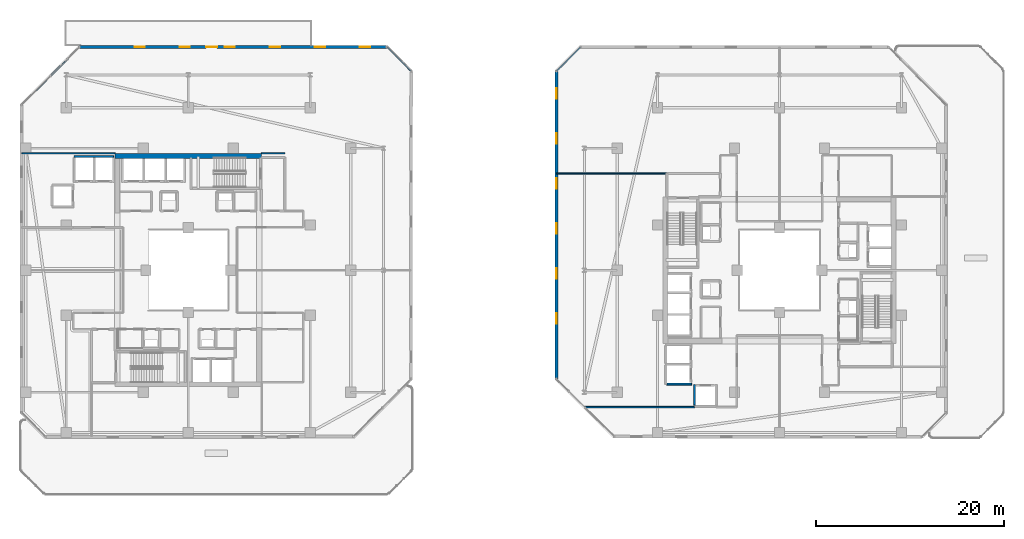
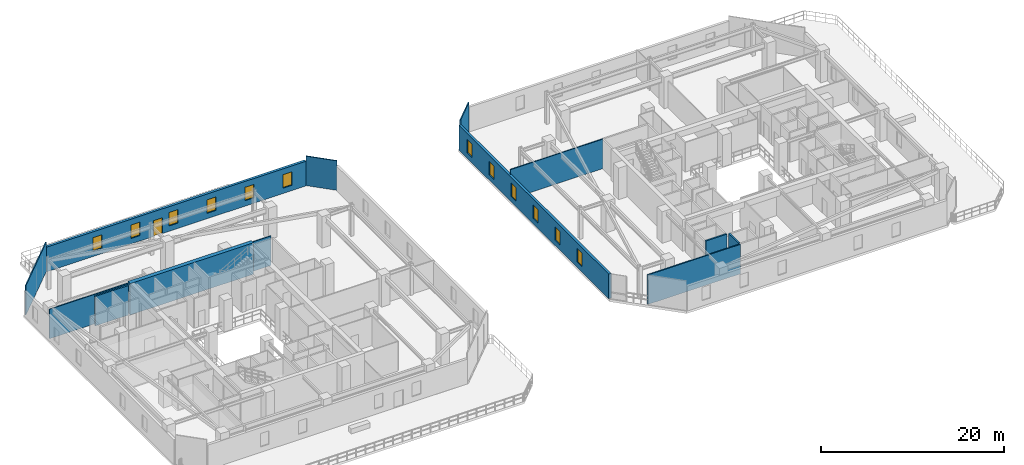
# One storey, part 23 of 33: 13 walls, 12 windows, 1 door, 13 openings.
"""IFC4 building model written with IfcOpenShell, lengths in metres."""

from ifc_helpers import new_model, si_unit, direction, frame, frame_2d, origin, place, context, subcontext, project, spatial, rectangle, extrude, material, layer, layer_set, type_object, element, fill, save


model = new_model("IFC4")

# Units and contexts
model_context = context("Model", 3, precision=1e-05, world=origin(), true_north=direction((0.0, 1.0)))
body_context = subcontext(model_context, "Body", "Model", "MODEL_VIEW")
ifc_project = project(units=[si_unit("LENGTHUNIT", "METRE"), si_unit("AREAUNIT", "SQUARE_METRE"), si_unit("VOLUMEUNIT", "CUBIC_METRE"), si_unit("PLANEANGLEUNIT", "RADIAN"), si_unit("MASSUNIT", "GRAM", prefix="KILO")], contexts=[model_context])

# Site, building, storey
site_placement = place(None, origin())
site = spatial("IfcSite", under=ifc_project, at=site_placement, CompositionType="ELEMENT")
building_placement = place(site_placement, origin())
building = spatial("IfcBuilding", under=site, at=building_placement, Name="Thornwick Lancets Civic Towers", CompositionType="ELEMENT")
storey_placement = place(building_placement, frame((0.0, 0.0, 174.300048828125)))
storey = spatial("IfcBuildingStorey", under=building, at=storey_placement, Name="L46", CompositionType="ELEMENT", Elevation=174.300048828125)

# Walls
ifc_material_1 = material(Name="Concrete blockwork C40/50", Category="masonry")
ifc_layer_1 = layer(ifc_material_1, 0.199951171875, Name="Concrete blockwork C40/50")
ifc_layer_set_1 = layer_set([ifc_layer_1], Name="Concrete blockwork C40/50")
wall_type_1 = type_object("IfcWallType", Name="WALL_COMP_200", PredefinedType="STANDARD", material=ifc_layer_set_1)
wall_1_placement = place(storey_placement, frame((13.35205078125, 39.10009765625, 0.0), z_axis=(0.0, 0.0, 1.0), x_axis=(1.0, 0.0, 0.0)))
element("IfcWall", 1, at=wall_1_placement, inside=storey, type_object=wall_type_1, Name="L46 Hoistway Shaft Wall PL-AM1 N", PredefinedType="STANDARD", context=body_context, shape_type="SweptSolid", body=[
    extrude(rectangle(XDim=4.196044921875, YDim=0.199951171875, at=frame_2d((2.09814453125, 0.0))), origin(), (0.0, 0.0, 1.0), 3.93994140625),
])
wall_2_placement = place(storey_placement, frame((76.511962890625, 14.85009765625, 0.0), z_axis=(0.0, 0.0, 1.0), x_axis=(1.0, 0.0, 0.0)))
element("IfcWall", 2, at=wall_2_placement, inside=storey, type_object=wall_type_1, Name="L46 Hoistway Shaft Wall PL-BM2 S", PredefinedType="STANDARD", context=body_context, shape_type="SweptSolid", body=[
    extrude(rectangle(XDim=2.635986328125, YDim=0.199951171875, at=frame_2d((1.31787109375, 0.0))), origin(), (0.0, 0.0, 1.0), 3.93994140625),
])
wall_3_placement = place(storey_placement, frame((79.449951171875, 12.612060546875, 0.0), z_axis=(0.0, 0.0, 1.0), x_axis=(0.0, 1.0, 0.0)))
element("IfcWall", 3, at=wall_3_placement, inside=storey, type_object=wall_type_1, Name="L46 Hoistway Shaft Wall PL-BM3 W", PredefinedType="STANDARD", context=body_context, shape_type="SweptSolid", body=[
    extrude(rectangle(XDim=2.18603515625, YDim=0.199951171875, at=frame_2d((1.093017578125, 0.0))), origin(), (0.0, 0.0, 1.0), 3.93994140625),
])
ifc_material_2 = material(Name="Concrete C50/60", Category="concrete")
ifc_layer_2 = layer(ifc_material_2, 0.5, Name="Concrete C50/60")
ifc_layer_set_2 = layer_set([ifc_layer_2], Name="Concrete C50/60")
wall_type_2 = type_object("IfcWallType", Name="WALL_CORE_500", PredefinedType="SHEAR", material=ifc_layer_set_2)
wall_4_placement = place(storey_placement, frame((17.699951171875, 39.14990234375, 0.0), z_axis=(0.0, 0.0, 1.0), x_axis=(1.0, 0.0, 0.0)))
element("IfcWall", 4, at=wall_4_placement, inside=storey, type_object=wall_type_2, Name="L46 Split Core A2 Shear Wall N", PredefinedType="SHEAR", context=body_context, shape_type="SweptSolid", body=[
    extrude(rectangle(XDim=15.60009765625, YDim=0.5, at=frame_2d((7.800048828125, 0.0))), origin(), (0.0, 0.0, 1.0), 4.199951171875),
])

# Wall, openings, door, windows
ifc_material_3 = material(Name="Insulated buff terracotta rainscreen on concrete C40/50", Category="masonry")
ifc_layer_3 = layer(ifc_material_3, 0.320068359375, Name="Insulated buff terracotta rainscreen on concrete C40/50")
ifc_layer_set_3 = layer_set([ifc_layer_3], Name="Insulated buff terracotta rainscreen on concrete C40/50")
wall_type_3 = type_object("IfcWallType", Name="WALL_EXT_TERRA_320", PredefinedType="STANDARD", material=ifc_layer_set_3)
wall_5_placement = place(storey_placement, frame((46.681396484375, 50.7646484375, 0.0), z_axis=(0.0, 0.0, 1.0), x_axis=(-0.999999933399, -0.000364968916, 0.0)))
wall_5 = element("IfcWall", 5, at=wall_5_placement, inside=storey, type_object=wall_type_3, Name="L46 Tower A Terracotta Facade Wall E4", PredefinedType="STANDARD", context=body_context, shape_type="SweptSolid", body=[
    extrude(rectangle(XDim=32.77783203125, YDim=0.320068359375, at=frame_2d((16.388916015625, 0.0))), origin(), (0.0, 0.0, 1.0), 3.300048828125),
])
opening_1_placement = place(wall_5_placement, frame((18.114013671875, 0.0, 0.0)))
opening_1 = element("IfcOpeningElement", 6, at=opening_1_placement, cuts=wall_5, Name="Opening D-POOL-L46", PredefinedType="OPENING", context=body_context, shape_type="SweptSolid", body=[
    extrude(rectangle(XDim=1.14990234375, YDim=2.10009765625, at=frame_2d((0.574951171875, 1.050048828125))), frame((0.0, 0.169921875, 0.0), z_axis=(0.0, -1.0, 0.0), x_axis=(1.0, 0.0, 0.0)), (0.0, 0.0, 1.0), 0.340087890625),
])
opening_2_placement = place(wall_5_placement, frame((1.800048828125, 0.0, 0.719970703125)))
opening_2 = element("IfcOpeningElement", 7, at=opening_2_placement, cuts=wall_5, Name="Opening WL-02", PredefinedType="OPENING", context=body_context, shape_type="SweptSolid", body=[
    extrude(rectangle(XDim=1.10009765625, YDim=1.800048828125, at=frame_2d((0.550048828125, 0.89990234375))), frame((0.0, 0.169921875, 0.0), z_axis=(0.0, -1.0, 0.0), x_axis=(1.0, 0.0, 0.0)), (0.0, 0.0, 1.0), 0.340087890625),
])
opening_3_placement = place(wall_5_placement, frame((6.60009765625, 0.0, 0.719970703125)))
opening_3 = element("IfcOpeningElement", 8, at=opening_3_placement, cuts=wall_5, Name="Opening WL-02", PredefinedType="OPENING", context=body_context, shape_type="SweptSolid", body=[
    extrude(rectangle(XDim=1.10009765625, YDim=1.800048828125, at=frame_2d((0.550048828125, 0.89990234375))), frame((0.0, 0.169921875, 0.0), z_axis=(0.0, -1.0, 0.0), x_axis=(1.0, 0.0, 0.0)), (0.0, 0.0, 1.0), 0.340087890625),
])
opening_4_placement = place(wall_5_placement, frame((11.39990234375, 0.0, 0.719970703125)))
opening_4 = element("IfcOpeningElement", 9, at=opening_4_placement, cuts=wall_5, Name="Opening WL-02", PredefinedType="OPENING", context=body_context, shape_type="SweptSolid", body=[
    extrude(rectangle(XDim=1.10009765625, YDim=1.800048828125, at=frame_2d((0.550048828125, 0.89990234375))), frame((0.0, 0.169921875, 0.0), z_axis=(0.0, -1.0, 0.0), x_axis=(1.0, 0.0, 0.0)), (0.0, 0.0, 1.0), 0.340087890625),
])
opening_5_placement = place(wall_5_placement, frame((16.199951171875, 0.0, 0.719970703125)))
opening_5 = element("IfcOpeningElement", 10, at=opening_5_placement, cuts=wall_5, Name="Opening WL-02", PredefinedType="OPENING", context=body_context, shape_type="SweptSolid", body=[
    extrude(rectangle(XDim=1.10009765625, YDim=1.800048828125, at=frame_2d((0.550048828125, 0.89990234375))), frame((0.0, 0.169921875, 0.0), z_axis=(0.0, -1.0, 0.0), x_axis=(1.0, 0.0, 0.0)), (0.0, 0.0, 1.0), 0.340087890625),
])
opening_6_placement = place(wall_5_placement, frame((21.0, 0.0, 0.719970703125)))
opening_6 = element("IfcOpeningElement", 11, at=opening_6_placement, cuts=wall_5, Name="Opening WL-02", PredefinedType="OPENING", context=body_context, shape_type="SweptSolid", body=[
    extrude(rectangle(XDim=1.10009765625, YDim=1.800048828125, at=frame_2d((0.550048828125, 0.89990234375))), frame((0.0, 0.169921875, 0.0), z_axis=(0.0, -1.0, 0.0), x_axis=(1.0, 0.0, 0.0)), (0.0, 0.0, 1.0), 0.340087890625),
])
opening_7_placement = place(wall_5_placement, frame((25.800048828125, 0.0, 0.719970703125)))
opening_7 = element("IfcOpeningElement", 12, at=opening_7_placement, cuts=wall_5, Name="Opening WL-02", PredefinedType="OPENING", context=body_context, shape_type="SweptSolid", body=[
    extrude(rectangle(XDim=1.10009765625, YDim=1.800048828125, at=frame_2d((0.550048828125, 0.89990234375))), frame((0.0, 0.169921875, 0.0), z_axis=(0.0, -1.0, 0.0), x_axis=(1.0, 0.0, 0.0)), (0.0, 0.0, 1.0), 0.340087890625),
])
ifc_material_4 = material(Name="Thermally broken glazed terrace doorset")
door_type = type_object("IfcDoorType", Name="DOOR_TERRACE_1200", OperationType="NOTDEFINED", PredefinedType="DOOR", material=ifc_material_4)
door_placement = place(opening_1_placement, origin())
door = element("IfcDoor", 13, at=door_placement, inside=storey, type_object=door_type, Name="L46 Sky Pool Access Door", OperationType="SINGLE_SWING_LEFT", OverallHeight=2.10009765625, OverallWidth=1.14990234375, PredefinedType="DOOR", context=body_context, shape_type="SweptSolid", body=[
    extrude(rectangle(XDim=1.14990234375, YDim=2.10009765625, at=frame_2d((0.574951171875, 1.050048828125))), frame((0.0, 0.02490234375, 0.0), z_axis=(0.0, -1.0, 0.0), x_axis=(1.0, 0.0, 0.0)), (0.0, 0.0, 1.0), 0.050048828125),
])
fill(opening_1, door)
ifc_material_5 = material(Name="Clear low-e double glazing in bronze frame", Category="glass")
window_type = type_object("IfcWindowType", Name="WIN_LANCET_1100", PartitioningType="SINGLE_PANEL", PredefinedType="WINDOW", material=ifc_material_5)
window_1_placement = place(opening_2_placement, origin())
window_1 = element("IfcWindow", 14, at=window_1_placement, inside=storey, type_object=window_type, Name="L46 Tower A Staggered Lancet Window E4-1", OverallHeight=1.800048828125, OverallWidth=1.10009765625, PartitioningType="SINGLE_PANEL", PredefinedType="WINDOW", context=body_context, shape_type="SweptSolid", body=[
    extrude(rectangle(XDim=1.10009765625, YDim=1.800048828125, at=frame_2d((0.550048828125, 0.89990234375))), frame((0.0, 0.030029296875, 0.0), z_axis=(0.0, -1.0, 0.0), x_axis=(1.0, 0.0, 0.0)), (0.0, 0.0, 1.0), 0.06005859375),
])
fill(opening_2, window_1)
window_2_placement = place(opening_3_placement, origin())
window_2 = element("IfcWindow", 15, at=window_2_placement, inside=storey, type_object=window_type, Name="L46 Tower A Staggered Lancet Window E4-2", OverallHeight=1.800048828125, OverallWidth=1.10009765625, PartitioningType="SINGLE_PANEL", PredefinedType="WINDOW", context=body_context, shape_type="SweptSolid", body=[
    extrude(rectangle(XDim=1.10009765625, YDim=1.800048828125, at=frame_2d((0.550048828125, 0.89990234375))), frame((0.0, 0.030029296875, 0.0), z_axis=(0.0, -1.0, 0.0), x_axis=(1.0, 0.0, 0.0)), (0.0, 0.0, 1.0), 0.06005859375),
])
fill(opening_3, window_2)
window_3_placement = place(opening_4_placement, origin())
window_3 = element("IfcWindow", 16, at=window_3_placement, inside=storey, type_object=window_type, Name="L46 Tower A Staggered Lancet Window E4-3", OverallHeight=1.800048828125, OverallWidth=1.10009765625, PartitioningType="SINGLE_PANEL", PredefinedType="WINDOW", context=body_context, shape_type="SweptSolid", body=[
    extrude(rectangle(XDim=1.10009765625, YDim=1.800048828125, at=frame_2d((0.550048828125, 0.89990234375))), frame((0.0, 0.030029296875, 0.0), z_axis=(0.0, -1.0, 0.0), x_axis=(1.0, 0.0, 0.0)), (0.0, 0.0, 1.0), 0.06005859375),
])
fill(opening_4, window_3)
window_4_placement = place(opening_5_placement, origin())
window_4 = element("IfcWindow", 17, at=window_4_placement, inside=storey, type_object=window_type, Name="L46 Tower A Staggered Lancet Window E4-4", OverallHeight=1.800048828125, OverallWidth=1.10009765625, PartitioningType="SINGLE_PANEL", PredefinedType="WINDOW", context=body_context, shape_type="SweptSolid", body=[
    extrude(rectangle(XDim=1.10009765625, YDim=1.800048828125, at=frame_2d((0.550048828125, 0.89990234375))), frame((0.0, 0.030029296875, 0.0), z_axis=(0.0, -1.0, 0.0), x_axis=(1.0, 0.0, 0.0)), (0.0, 0.0, 1.0), 0.06005859375),
])
fill(opening_5, window_4)
window_5_placement = place(opening_6_placement, origin())
window_5 = element("IfcWindow", 18, at=window_5_placement, inside=storey, type_object=window_type, Name="L46 Tower A Staggered Lancet Window E4-5", OverallHeight=1.800048828125, OverallWidth=1.10009765625, PartitioningType="SINGLE_PANEL", PredefinedType="WINDOW", context=body_context, shape_type="SweptSolid", body=[
    extrude(rectangle(XDim=1.10009765625, YDim=1.800048828125, at=frame_2d((0.550048828125, 0.89990234375))), frame((0.0, 0.030029296875, 0.0), z_axis=(0.0, -1.0, 0.0), x_axis=(1.0, 0.0, 0.0)), (0.0, 0.0, 1.0), 0.06005859375),
])
fill(opening_6, window_5)
window_6_placement = place(opening_7_placement, origin())
window_6 = element("IfcWindow", 19, at=window_6_placement, inside=storey, type_object=window_type, Name="L46 Tower A Staggered Lancet Window E4-6", OverallHeight=1.800048828125, OverallWidth=1.10009765625, PartitioningType="SINGLE_PANEL", PredefinedType="WINDOW", context=body_context, shape_type="SweptSolid", body=[
    extrude(rectangle(XDim=1.10009765625, YDim=1.800048828125, at=frame_2d((0.550048828125, 0.89990234375))), frame((0.0, 0.030029296875, 0.0), z_axis=(0.0, -1.0, 0.0), x_axis=(1.0, 0.0, 0.0)), (0.0, 0.0, 1.0), 0.06005859375),
])
fill(opening_7, window_6)

# Wall, openings, windows
wall_6_placement = place(storey_placement, frame((64.7353515625, 48.181396484375, 0.0), z_axis=(0.0, 0.0, 1.0), x_axis=(0.000364968916, -0.999999933399, 0.0)))
wall_6 = element("IfcWall", 20, at=wall_6_placement, inside=storey, type_object=wall_type_3, Name="L46 Tower B Terracotta Facade Wall E6", PredefinedType="STANDARD", context=body_context, shape_type="SweptSolid", body=[
    extrude(rectangle(XDim=32.77783203125, YDim=0.320068359375, at=frame_2d((16.388916015625, 0.0))), origin(), (0.0, 0.0, 1.0), 3.300048828125),
])
opening_8_placement = place(wall_6_placement, frame((1.800048828125, 0.0, 0.719970703125)))
opening_8 = element("IfcOpeningElement", 21, at=opening_8_placement, cuts=wall_6, Name="Opening WL-02", PredefinedType="OPENING", context=body_context, shape_type="SweptSolid", body=[
    extrude(rectangle(XDim=1.10009765625, YDim=1.800048828125, at=frame_2d((0.550048828125, 0.89990234375))), frame((0.0, 0.169921875, 0.0), z_axis=(0.0, -1.0, 0.0), x_axis=(1.0, 0.0, 0.0)), (0.0, 0.0, 1.0), 0.340087890625),
])
opening_9_placement = place(wall_6_placement, frame((6.60009765625, 0.0, 0.719970703125)))
opening_9 = element("IfcOpeningElement", 22, at=opening_9_placement, cuts=wall_6, Name="Opening WL-02", PredefinedType="OPENING", context=body_context, shape_type="SweptSolid", body=[
    extrude(rectangle(XDim=1.10009765625, YDim=1.800048828125, at=frame_2d((0.550048828125, 0.89990234375))), frame((0.0, 0.169921875, 0.0), z_axis=(0.0, -1.0, 0.0), x_axis=(1.0, 0.0, 0.0)), (0.0, 0.0, 1.0), 0.340087890625),
])
opening_10_placement = place(wall_6_placement, frame((11.39990234375, 0.0, 0.719970703125)))
opening_10 = element("IfcOpeningElement", 23, at=opening_10_placement, cuts=wall_6, Name="Opening WL-02", PredefinedType="OPENING", context=body_context, shape_type="SweptSolid", body=[
    extrude(rectangle(XDim=1.10009765625, YDim=1.800048828125, at=frame_2d((0.550048828125, 0.89990234375))), frame((0.0, 0.169921875, 0.0), z_axis=(0.0, -1.0, 0.0), x_axis=(1.0, 0.0, 0.0)), (0.0, 0.0, 1.0), 0.340087890625),
])
opening_11_placement = place(wall_6_placement, frame((16.199951171875, 0.0, 0.719970703125)))
opening_11 = element("IfcOpeningElement", 24, at=opening_11_placement, cuts=wall_6, Name="Opening WL-02", PredefinedType="OPENING", context=body_context, shape_type="SweptSolid", body=[
    extrude(rectangle(XDim=1.10009765625, YDim=1.800048828125, at=frame_2d((0.550048828125, 0.89990234375))), frame((0.0, 0.169921875, 0.0), z_axis=(0.0, -1.0, 0.0), x_axis=(1.0, 0.0, 0.0)), (0.0, 0.0, 1.0), 0.340087890625),
])
opening_12_placement = place(wall_6_placement, frame((21.0, 0.0, 0.719970703125)))
opening_12 = element("IfcOpeningElement", 25, at=opening_12_placement, cuts=wall_6, Name="Opening WL-02", PredefinedType="OPENING", context=body_context, shape_type="SweptSolid", body=[
    extrude(rectangle(XDim=1.10009765625, YDim=1.800048828125, at=frame_2d((0.550048828125, 0.89990234375))), frame((0.0, 0.169921875, 0.0), z_axis=(0.0, -1.0, 0.0), x_axis=(1.0, 0.0, 0.0)), (0.0, 0.0, 1.0), 0.340087890625),
])
opening_13_placement = place(wall_6_placement, frame((25.800048828125, 0.0, 0.719970703125)))
opening_13 = element("IfcOpeningElement", 26, at=opening_13_placement, cuts=wall_6, Name="Opening WL-02", PredefinedType="OPENING", context=body_context, shape_type="SweptSolid", body=[
    extrude(rectangle(XDim=1.10009765625, YDim=1.800048828125, at=frame_2d((0.550048828125, 0.89990234375))), frame((0.0, 0.169921875, 0.0), z_axis=(0.0, -1.0, 0.0), x_axis=(1.0, 0.0, 0.0)), (0.0, 0.0, 1.0), 0.340087890625),
])
window_7_placement = place(opening_8_placement, origin())
window_7 = element("IfcWindow", 27, at=window_7_placement, inside=storey, type_object=window_type, Name="L46 Tower B Staggered Lancet Window E6-1", OverallHeight=1.800048828125, OverallWidth=1.10009765625, PartitioningType="SINGLE_PANEL", PredefinedType="WINDOW", context=body_context, shape_type="SweptSolid", body=[
    extrude(rectangle(XDim=1.10009765625, YDim=1.800048828125, at=frame_2d((0.550048828125, 0.89990234375))), frame((0.0, 0.030029296875, 0.0), z_axis=(0.0, -1.0, 0.0), x_axis=(1.0, 0.0, 0.0)), (0.0, 0.0, 1.0), 0.06005859375),
])
fill(opening_8, window_7)
window_8_placement = place(opening_9_placement, origin())
window_8 = element("IfcWindow", 28, at=window_8_placement, inside=storey, type_object=window_type, Name="L46 Tower B Staggered Lancet Window E6-2", OverallHeight=1.800048828125, OverallWidth=1.10009765625, PartitioningType="SINGLE_PANEL", PredefinedType="WINDOW", context=body_context, shape_type="SweptSolid", body=[
    extrude(rectangle(XDim=1.10009765625, YDim=1.800048828125, at=frame_2d((0.550048828125, 0.89990234375))), frame((0.0, 0.030029296875, 0.0), z_axis=(0.0, -1.0, 0.0), x_axis=(1.0, 0.0, 0.0)), (0.0, 0.0, 1.0), 0.06005859375),
])
fill(opening_9, window_8)
window_9_placement = place(opening_10_placement, origin())
window_9 = element("IfcWindow", 29, at=window_9_placement, inside=storey, type_object=window_type, Name="L46 Tower B Staggered Lancet Window E6-3", OverallHeight=1.800048828125, OverallWidth=1.10009765625, PartitioningType="SINGLE_PANEL", PredefinedType="WINDOW", context=body_context, shape_type="SweptSolid", body=[
    extrude(rectangle(XDim=1.10009765625, YDim=1.800048828125, at=frame_2d((0.550048828125, 0.89990234375))), frame((0.0, 0.030029296875, 0.0), z_axis=(0.0, -1.0, 0.0), x_axis=(1.0, 0.0, 0.0)), (0.0, 0.0, 1.0), 0.06005859375),
])
fill(opening_10, window_9)
window_10_placement = place(opening_11_placement, origin())
window_10 = element("IfcWindow", 30, at=window_10_placement, inside=storey, type_object=window_type, Name="L46 Tower B Staggered Lancet Window E6-4", OverallHeight=1.800048828125, OverallWidth=1.10009765625, PartitioningType="SINGLE_PANEL", PredefinedType="WINDOW", context=body_context, shape_type="SweptSolid", body=[
    extrude(rectangle(XDim=1.10009765625, YDim=1.800048828125, at=frame_2d((0.550048828125, 0.89990234375))), frame((0.0, 0.030029296875, 0.0), z_axis=(0.0, -1.0, 0.0), x_axis=(1.0, 0.0, 0.0)), (0.0, 0.0, 1.0), 0.06005859375),
])
fill(opening_11, window_10)
window_11_placement = place(opening_12_placement, origin())
window_11 = element("IfcWindow", 31, at=window_11_placement, inside=storey, type_object=window_type, Name="L46 Tower B Staggered Lancet Window E6-5", OverallHeight=1.800048828125, OverallWidth=1.10009765625, PartitioningType="SINGLE_PANEL", PredefinedType="WINDOW", context=body_context, shape_type="SweptSolid", body=[
    extrude(rectangle(XDim=1.10009765625, YDim=1.800048828125, at=frame_2d((0.550048828125, 0.89990234375))), frame((0.0, 0.030029296875, 0.0), z_axis=(0.0, -1.0, 0.0), x_axis=(1.0, 0.0, 0.0)), (0.0, 0.0, 1.0), 0.06005859375),
])
fill(opening_12, window_11)
window_12_placement = place(opening_13_placement, origin())
window_12 = element("IfcWindow", 32, at=window_12_placement, inside=storey, type_object=window_type, Name="L46 Tower B Staggered Lancet Window E6-6", OverallHeight=1.800048828125, OverallWidth=1.10009765625, PartitioningType="SINGLE_PANEL", PredefinedType="WINDOW", context=body_context, shape_type="SweptSolid", body=[
    extrude(rectangle(XDim=1.10009765625, YDim=1.800048828125, at=frame_2d((0.550048828125, 0.89990234375))), frame((0.0, 0.030029296875, 0.0), z_axis=(0.0, -1.0, 0.0), x_axis=(1.0, 0.0, 0.0)), (0.0, 0.0, 1.0), 0.06005859375),
])
fill(opening_13, window_12)

# Walls
ifc_material_6 = material(Name="Acoustic gypsum board partition")
ifc_layer_4 = layer(ifc_material_6, 0.1201171875, Name="Acoustic gypsum board partition")
ifc_layer_set_4 = layer_set([ifc_layer_4], Name="Acoustic gypsum board partition")
wall_type_4 = type_object("IfcWallType", Name="WALL_PART_120", PredefinedType="PARTITIONING", material=ifc_layer_set_4)
wall_7_placement = place(storey_placement, frame((35.800048828125, 39.449951171875, 0.0), z_axis=(0.0, 0.0, 1.0), x_axis=(-1.0, 0.0, 0.0)))
element("IfcWall", 33, at=wall_7_placement, inside=storey, type_object=wall_type_4, Name="L46 Partition L46-A-SKYPOOL-LOUNGE E7", PredefinedType="PARTITIONING", context=body_context, shape_type="SweptSolid", body=[
    extrude(rectangle(XDim=2.5, YDim=0.1201171875, at=frame_2d((1.25, 0.0))), origin(), (0.0, 0.0, 1.0), 3.93994140625),
])
wall_8_placement = place(storey_placement, frame((17.699951171875, 39.449951171875, 0.0), z_axis=(0.0, 0.0, 1.0), x_axis=(-1.0, 0.0, 0.0)))
element("IfcWall", 34, at=wall_8_placement, inside=storey, type_object=wall_type_4, Name="L46 Partition L46-A-SKYPOOL-LOUNGE E7", PredefinedType="PARTITIONING", context=body_context, shape_type="SweptSolid", body=[
    extrude(rectangle(XDim=9.919921875, YDim=0.1201171875, at=frame_2d((4.9599609375, 0.0))), origin(), (0.0, 0.0, 1.0), 3.93994140625),
])
wall_9_placement = place(storey_placement, frame((7.780029296875, 44.62548828125, 0.0), z_axis=(0.0, 0.0, 1.0), x_axis=(0.707106781187, 0.707106781187, 0.0)))
element("IfcWall", 35, at=wall_9_placement, inside=storey, type_object=wall_type_4, Name="L46 Partition L46-A-SKYPOOL-LOUNGE E9", PredefinedType="PARTITIONING", context=body_context, shape_type="SweptSolid", body=[
    extrude(rectangle(XDim=8.618896484375, YDim=0.1201171875, at=frame_2d((4.3095703125, 0.0))), origin(), (0.0, 0.0, 1.0), 3.93994140625),
])
wall_10_placement = place(storey_placement, frame((46.725341796875, 50.719970703125, 0.0), z_axis=(0.0, 0.0, 1.0), x_axis=(0.707106781187, -0.707106781187, 0.0)))
element("IfcWall", 36, at=wall_10_placement, inside=storey, type_object=wall_type_4, Name="L46 Partition L46-A-SKYPOOL-LOUNGE E11", PredefinedType="PARTITIONING", context=body_context, shape_type="SweptSolid", body=[
    extrude(rectangle(XDim=3.52783203125, YDim=0.1201171875, at=frame_2d((1.763916015625, 0.0))), origin(), (0.0, 0.0, 1.0), 3.93994140625),
])
wall_11_placement = place(storey_placement, frame((76.5, 37.300048828125, 0.0), z_axis=(0.0, 0.0, 1.0), x_axis=(-1.0, 0.0, 0.0)))
element("IfcWall", 37, at=wall_11_placement, inside=storey, type_object=wall_type_4, Name="L46 Partition L46-B-E3 E6", PredefinedType="PARTITIONING", context=body_context, shape_type="SweptSolid", body=[
    extrude(rectangle(XDim=11.719970703125, YDim=0.1201171875, at=frame_2d((5.85986328125, 0.0))), origin(), (0.0, 0.0, 1.0), 3.93994140625),
])
wall_12_placement = place(storey_placement, frame((64.780029296875, 48.225341796875, 0.0), z_axis=(0.0, 0.0, 1.0), x_axis=(0.707106781187, 0.707106781187, 0.0)))
element("IfcWall", 38, at=wall_12_placement, inside=storey, type_object=wall_type_4, Name="L46 Partition L46-B-E3 E8", PredefinedType="PARTITIONING", context=body_context, shape_type="SweptSolid", body=[
    extrude(rectangle(XDim=3.52783203125, YDim=0.1201171875, at=frame_2d((1.763916015625, 0.0))), origin(), (0.0, 0.0, 1.0), 3.93994140625),
])
ifc_material_7 = material(Name="Twin-stud acoustic gypsum board")
ifc_layer_5 = layer(ifc_material_7, 0.14990234375, Name="Twin-stud acoustic gypsum board")
ifc_layer_set_5 = layer_set([ifc_layer_5], Name="Twin-stud acoustic gypsum board")
wall_type_5 = type_object("IfcWallType", Name="WALL_PART_150", PredefinedType="PARTITIONING", material=ifc_layer_set_5)
wall_13_placement = place(storey_placement, frame((67.754638671875, 12.39990234375, 0.0), z_axis=(0.0, 0.0, 1.0), x_axis=(1.0, 0.0, 0.0)))
element("IfcWall", 39, at=wall_13_placement, inside=storey, type_object=wall_type_5, Name="L46 Partition L46-B-W2 E6", PredefinedType="PARTITIONING", context=body_context, shape_type="SweptSolid", body=[
    extrude(rectangle(XDim=11.697265625, YDim=0.14990234375, at=frame_2d((5.8486328125, 0.0))), origin(), (0.0, 0.0, 1.0), 3.93994140625),
])

save(model, "model.ifc")
